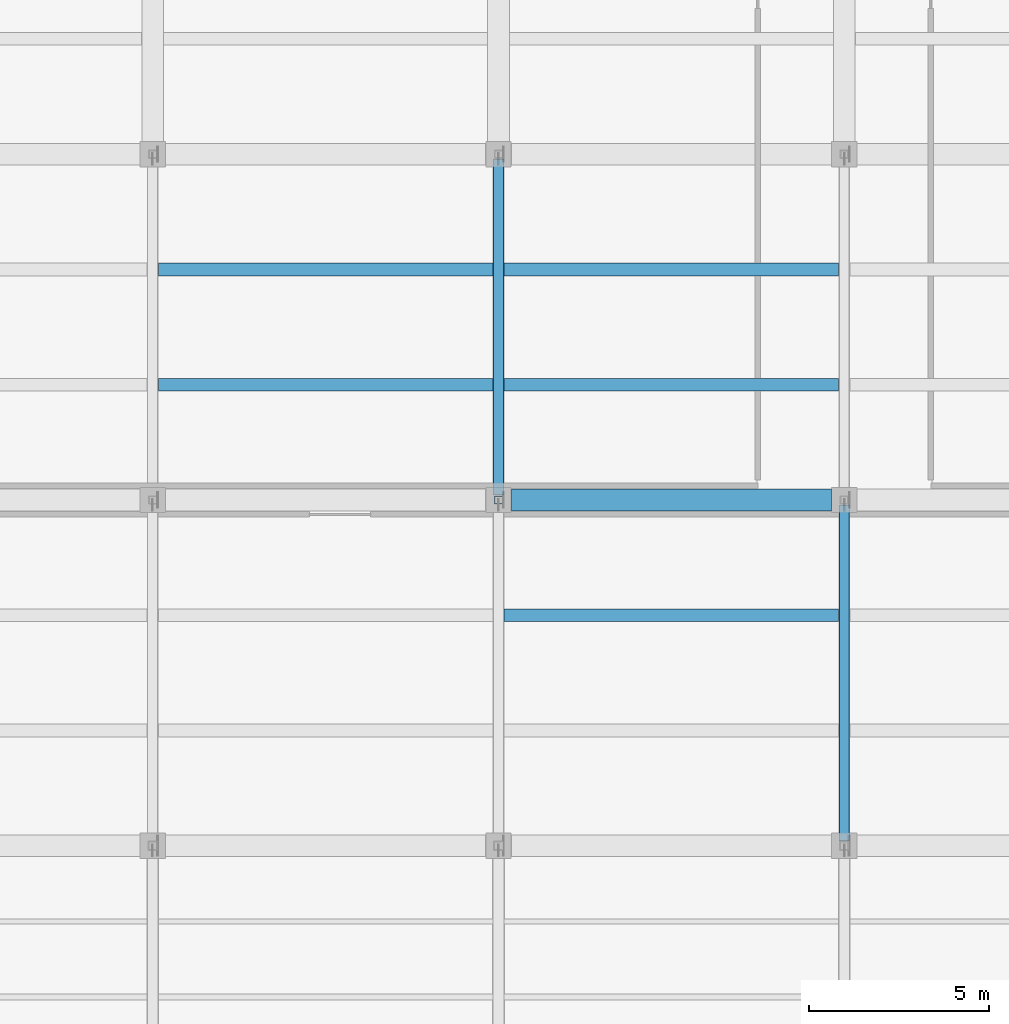
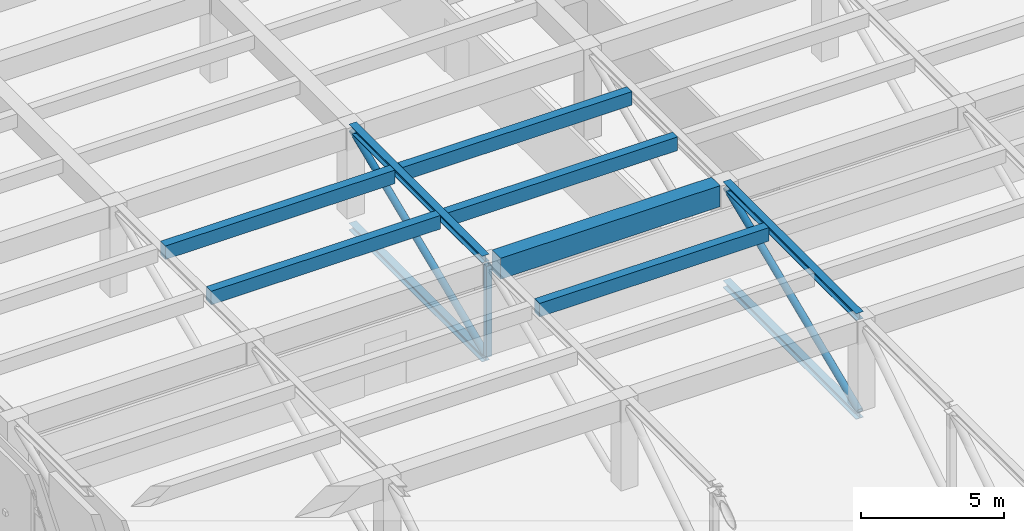
# One storey, part 11 of 62: 7 members, 6 beams.
"""IFC4 building model written with IfcOpenShell, lengths in metres."""

import ifcopenshell
import ifcopenshell.guid

model = None  # the IFC model being written
_history = None  # IfcOwnerHistory: only IFC2X3 demands one
_inside = {}  # id of a spatial element -> (the spatial element, [elements in it])
_under = {}  # id of a project, library or spatial element -> (it, [spatial elements below it])
_declared = {}  # id of a project -> (the project, [libraries it declares])
_typed = {}  # id of a type object -> (the type object, [elements of that type])
_made_of = {}  # id of a material, layer set ... -> (it, [elements and type objects made of it])


def new_model(schema):
    """Start an empty IFC model of exactly this schema.

    Asked for "IFC4X3", IfcOpenShell would pick the latest addendum, in which some entities
    have other attributes; the version numbers below select the first issue.
    IFC2X3 requires an IfcOwnerHistory on every rooted entity: one is made here for all.
    """
    global model, _history
    if schema == "IFC4X3":
        model = ifcopenshell.file(schema_version=(4, 3, 0, 0))
    else:
        model = ifcopenshell.file(schema=schema)
    _inside.clear()
    _under.clear()
    _declared.clear()
    _typed.clear()
    _made_of.clear()
    _history = None
    if model.schema == "IFC2X3":
        org = make("IfcOrganization", Name="unknown")
        user = make(
            "IfcPersonAndOrganization",
            ThePerson=make("IfcPerson", FamilyName="unknown"),
            TheOrganization=org,
        )
        app = make(
            "IfcApplication",
            ApplicationDeveloper=org,
            Version="unknown",
            ApplicationFullName="unknown",
            ApplicationIdentifier="unknown",
        )
        _history = make(
            "IfcOwnerHistory",
            OwningUser=user,
            OwningApplication=app,
            ChangeAction="ADDED",
            CreationDate=0,
        )
    return model


def make(cls, **values):
    """One entity of the class cls with the attributes given. An attribute that is None is left unset."""
    return model.create_entity(
        cls, **{name: value for name, value in values.items() if value is not None}
    )


def rooted(cls, **values):
    """An entity with a GlobalId (a new one), such as an element, a storey or a relation."""
    return make(cls, GlobalId=ifcopenshell.guid.new(), OwnerHistory=_history, **values)


def si_unit(unit_type, name, prefix=None):
    """IfcSIUnit, for example si_unit("LENGTHUNIT", "METRE", prefix="MILLI")."""
    return make("IfcSIUnit", UnitType=unit_type, Prefix=prefix, Name=name)


def assignment(units):
    """IfcUnitAssignment: the units of a project."""
    return None if units is None else make("IfcUnitAssignment", Units=units)


def point(xyz):
    """IfcCartesianPoint."""
    return None if xyz is None else make("IfcCartesianPoint", Coordinates=xyz)


def direction(xyz):
    """IfcDirection."""
    return None if xyz is None else make("IfcDirection", DirectionRatios=xyz)


def frame(location, z_axis=None, x_axis=None):
    """IfcAxis2Placement3D, a coordinate frame: its origin and axes. An axis left out is left unset."""
    return make(
        "IfcAxis2Placement3D",
        Location=point(location),
        Axis=direction(z_axis),
        RefDirection=direction(x_axis),
    )


def frame_2d(location, x_axis=None):
    """IfcAxis2Placement2D, a coordinate frame in the plane: its origin and x axis."""
    return make(
        "IfcAxis2Placement2D", Location=point(location), RefDirection=direction(x_axis)
    )


def origin():
    """The frame at (0, 0, 0) with its axes left unset."""
    return frame((0.0, 0.0, 0.0))


def origin_2d():
    """The frame at (0, 0) in the plane with its x axis left unset."""
    return frame_2d((0.0, 0.0))


def place(relative_to, where):
    """IfcLocalPlacement: puts the frame where relative to a parent placement (None: the world)."""
    return make(
        "IfcLocalPlacement", PlacementRelTo=relative_to, RelativePlacement=where
    )


def context(
    kind, dimensions, precision=None, world=None, true_north=None, identifier=None
):
    """IfcGeometricRepresentationContext, for example the 3D "Model" context."""
    return make(
        "IfcGeometricRepresentationContext",
        ContextIdentifier=identifier,
        ContextType=kind,
        CoordinateSpaceDimension=dimensions,
        Precision=precision,
        WorldCoordinateSystem=world,
        TrueNorth=true_north,
    )


def subcontext(parent, identifier, kind, view, scale=None):
    """IfcGeometricRepresentationSubContext, for example "Body" below "Model"."""
    return make(
        "IfcGeometricRepresentationSubContext",
        ContextIdentifier=identifier,
        ContextType=kind,
        ParentContext=parent,
        TargetScale=scale,
        TargetView=view,
    )


def project(units=None, contexts=None):
    """IfcProject with its units and contexts."""
    return rooted(
        "IfcProject",
        Name="project",
        RepresentationContexts=contexts,
        UnitsInContext=assignment(units),
    )


def spatial(cls, under=None, at=None, **own):
    """A site, building, storey or space (cls), placed at a placement, below another one or the project."""
    s = rooted(cls, ObjectPlacement=at, **own)
    if under is not None:
        _under.setdefault(under.id(), (under, []))[1].append(s)
    return s


def profile(cls, at=None, kind="AREA", **sizes):
    """A parametric profile (cls). Its sizes go by their IFC names, for example OverallWidth=200.0."""
    return make(cls, ProfileType=kind, Position=at, **sizes)


def rectangle(**sizes):
    """IfcRectangleProfileDef."""
    return profile("IfcRectangleProfileDef", **sizes)


def hollow_rectangle(**sizes):
    """IfcRectangleHollowProfileDef."""
    return profile("IfcRectangleHollowProfileDef", **sizes)


def hollow_circle(**sizes):
    """IfcCircleHollowProfileDef."""
    return profile("IfcCircleHollowProfileDef", **sizes)


def i_section(**sizes):
    """IfcIShapeProfileDef."""
    return profile("IfcIShapeProfileDef", **sizes)


def extrude(swept, where, along, depth):
    """IfcExtrudedAreaSolid: the profile swept, set in the frame where, extruded along a direction by depth."""
    return make(
        "IfcExtrudedAreaSolid",
        SweptArea=swept,
        Position=where,
        ExtrudedDirection=direction(along),
        Depth=depth,
    )


def shape(context_of_items, identifier, shape_type, items):
    """IfcShapeRepresentation: the items that make up one representation, for example the "Body"."""
    return make(
        "IfcShapeRepresentation",
        ContextOfItems=context_of_items,
        RepresentationIdentifier=identifier,
        RepresentationType=shape_type,
        Items=items,
    )


def material(Name=None, Category=None):
    """IfcMaterial."""
    return make("IfcMaterial", Name=Name, Category=Category)


def material_profile(
    of_material, cross_section, Name=None, Category=None, Priority=None
):
    """IfcMaterialProfile: a cross section and its material."""
    return make(
        "IfcMaterialProfile",
        Name=Name,
        Material=of_material,
        Profile=cross_section,
        Priority=Priority,
        Category=Category,
    )


def profile_set(profiles, Name=None, composite=None):
    """IfcMaterialProfileSet."""
    return make(
        "IfcMaterialProfileSet",
        Name=Name,
        MaterialProfiles=profiles,
        CompositeProfile=composite,
    )


def made_of(thing, what):
    """Note that an element or type object is made of a material, layer set ...; save() writes the relation."""
    if what is not None:
        _made_of.setdefault(what.id(), (what, []))[1].append(thing)
    return thing


def type_object(cls, material=None, **own):
    """A type object (cls), such as IfcWallType, which elements share."""
    return made_of(rooted(cls, **own), material)


def element(
    cls,
    number,
    at=None,
    inside=None,
    cuts=None,
    type_object=None,
    material=None,
    context=None,
    identifier="Body",
    shape_type=None,
    held_by="IfcProductDefinitionShape",
    body=None,
    shapes=None,
    **own,
):
    """One element of the class cls, such as IfcWall. Its Tag is "e" and its number.

    at: its placement. inside: the storey or other place that contains it. cuts: it is an
    opening in that element (IfcRelVoidsElement). A single representation is given by context,
    identifier, shape_type and body (its items); several are given by shapes. held_by: the class
    of the entity that holds the representations. save() writes the other relations.
    """
    e = rooted(cls, Tag="e%d" % number, ObjectPlacement=at, **own)
    if body is not None:
        shapes = [shape(context, identifier, shape_type, body)]
    if shapes is not None:
        e.Representation = make(held_by, Representations=shapes)
    if inside is not None:
        _inside.setdefault(inside.id(), (inside, []))[1].append(e)
    if cuts is not None:
        rooted(
            "IfcRelVoidsElement", RelatingBuildingElement=cuts, RelatedOpeningElement=e
        )
    if type_object is not None:
        _typed.setdefault(type_object.id(), (type_object, []))[1].append(e)
    return made_of(e, material)


def aggregate(whole, parts):
    """IfcRelAggregates: a whole, such as a stair, and the parts it consists of."""
    return rooted("IfcRelAggregates", RelatingObject=whole, RelatedObjects=parts)


def save(model, path):
    """Write the relations noted so far, then the file.

    IfcRelAggregates (storeys below a building ...), IfcRelContainedInSpatialStructure (elements
    in a storey), IfcRelDefinesByType, IfcRelAssociatesMaterial and IfcRelDeclares: one each for
    every whole, place, type object, material and project.
    """
    for whole, parts in _under.values():
        aggregate(whole, parts)
    for where, things in _inside.values():
        rooted(
            "IfcRelContainedInSpatialStructure",
            RelatedElements=things,
            RelatingStructure=where,
        )
    for kind, things in _typed.values():
        rooted("IfcRelDefinesByType", RelatedObjects=things, RelatingType=kind)
    for what, things in _made_of.values():
        rooted("IfcRelAssociatesMaterial", RelatedObjects=things, RelatingMaterial=what)
    for by, libraries in _declared.values():
        rooted("IfcRelDeclares", RelatingContext=by, RelatedDefinitions=libraries)
    model.write(path)


model = new_model("IFC4")

# Units and contexts
model_context = context("Model", 3, precision=1e-05, world=origin(), true_north=direction((0.0, 1.0)))
body_context = subcontext(model_context, "Body", "Model", "MODEL_VIEW")
ifc_project = project(units=[si_unit("LENGTHUNIT", "METRE"), si_unit("AREAUNIT", "SQUARE_METRE"), si_unit("VOLUMEUNIT", "CUBIC_METRE"), si_unit("PLANEANGLEUNIT", "RADIAN"), si_unit("MASSUNIT", "GRAM", prefix="KILO")], contexts=[model_context])

# Site, building, storey
site_placement = place(None, origin())
site = spatial("IfcSite", under=ifc_project, at=site_placement, CompositionType="ELEMENT")
building_placement = place(site_placement, origin())
building = spatial("IfcBuilding", under=site, at=building_placement, Name="Bempovik Park Faculty of Sciences", CompositionType="ELEMENT")
storey_placement = place(building_placement, frame((0.0, 0.0, 9.89990234375)))
storey = spatial("IfcBuildingStorey", under=building, at=storey_placement, Name="L02", CompositionType="ELEMENT", Elevation=9.89990234375)

# Beams
ifc_material_1 = material(Name="Concrete C35/45", Category="concrete")
ifc_material_profile_1 = material_profile(ifc_material_1, rectangle(XDim=0.35009765625, YDim=0.580078125, at=origin_2d()), Name="RC 350x580")
ifc_profile_set_1 = profile_set([ifc_material_profile_1], Name="Concrete C35/45")
beam_type_1 = type_object("IfcBeamType", Name="B-107 RC 350x580", PredefinedType="JOIST", material=ifc_profile_set_1)
for number, where, z_axis, x_axis, name in (
    (1, (69.756103515625, 32.60009765625, 3.610107421875), (1.0, 0.0, 0.0), (0.0, 1.0, 0.0), "L02 Secondary Joist (69.6-79.2, y=32.60)"),
    (2, (69.756103515625, 35.800048828125, 3.610107421875), (1.0, 0.0, 0.0), (0.0, 1.0, 0.0), "L02 Secondary Joist (69.6-79.2, y=35.80)"),
):
    element("IfcBeam", number, at=place(storey_placement, frame(where, z_axis=z_axis, x_axis=x_axis)), inside=storey, type_object=beam_type_1, Name=name, PredefinedType="JOIST", context=body_context, shape_type="SweptSolid", body=[
        extrude(rectangle(XDim=0.35009765625, YDim=0.580078125, at=origin_2d()), origin(), (0.0, 0.0, 1.0), 9.287841796875),
    ])
for number, where, z_axis, x_axis, name in (
    (3, (79.35595703125, 26.199951171875, 3.610107421875), (1.0, 0.0, 0.0), (0.0, 1.0, 0.0), "L02 Secondary Joist (79.2-88.8, y=26.20)"),
    (4, (79.35595703125, 32.60009765625, 3.610107421875), (1.0, 0.0, 0.0), (0.0, 1.0, 0.0), "L02 Secondary Joist (79.2-88.8, y=32.60)"),
    (5, (79.35595703125, 35.800048828125, 3.610107421875), (1.0, 0.0, 0.0), (0.0, 1.0, 0.0), "L02 Secondary Joist (79.2-88.8, y=35.80)"),
):
    element("IfcBeam", number, at=place(storey_placement, frame(where, z_axis=z_axis, x_axis=x_axis)), inside=storey, type_object=beam_type_1, Name=name, PredefinedType="JOIST", context=body_context, shape_type="SweptSolid", body=[
        extrude(rectangle(XDim=0.35009765625, YDim=0.580078125, at=origin_2d()), origin(), (0.0, 0.0, 1.0), 9.2880859375),
    ])
ifc_material_2 = material(Name="Concrete C40/50", Category="concrete")
ifc_material_profile_2 = material_profile(ifc_material_2, rectangle(XDim=0.60009765625, YDim=0.89990234375, at=origin_2d()), Name="RC 600x900")
ifc_profile_set_2 = profile_set([ifc_material_profile_2], Name="Concrete C40/50")
beam_type_2 = type_object("IfcBeamType", Name="B-115 RC 600x900", PredefinedType="BEAM", material=ifc_profile_set_2)
beam_placement = place(storey_placement, frame((79.555908203125, 29.39990234375, 3.4501953125), z_axis=(1.0, 0.0, 0.0), x_axis=(0.0, 1.0, 0.0)))
element("IfcBeam", 6, at=beam_placement, inside=storey, type_object=beam_type_2, Name="L02 Beam X (79.2-88.8, y=29.4)", PredefinedType="BEAM", context=body_context, shape_type="SweptSolid", body=[
    extrude(rectangle(XDim=0.60009765625, YDim=0.89990234375, at=origin_2d()), origin(), (0.0, 0.0, 1.0), 8.88818359375),
])

# Members
ifc_material_3 = material(Name="Steel S355", Category="steel")
ifc_material_profile_3 = material_profile(ifc_material_3, hollow_rectangle(XDim=0.219970703125, YDim=0.219970703125, WallThickness=0.010009765625, at=origin_2d()), Name="SHS 220x220x10")
ifc_profile_set_3 = profile_set([ifc_material_profile_3], Name="Steel S355")
member_type_1 = type_object("IfcMemberType", Name="M-32 SHS 220x220x10", PredefinedType="POST", material=ifc_profile_set_3)
member_1_placement = place(storey_placement, frame((79.199951171875, 29.39990234375, -0.31396484375), z_axis=(0.0, 0.0, 1.0), x_axis=(1.0, 0.0, 0.0)))
element("IfcMember", 7, at=member_1_placement, inside=storey, type_object=member_type_1, Name="Cantilever Truss 3 L02 Post 4", PredefinedType="POST", context=body_context, shape_type="SweptSolid", body=[
    extrude(hollow_rectangle(XDim=0.219970703125, YDim=0.219970703125, WallThickness=0.010009765625, at=origin_2d()), origin(), (0.0, 0.0, 1.0), 3.907958984375),
])
ifc_material_profile_4 = material_profile(ifc_material_3, i_section(OverallWidth=0.300048828125, OverallDepth=0.300048828125, WebThickness=0.010986328125, FlangeThickness=0.01904296875, at=origin_2d()), Name="HEB 300")
ifc_profile_set_4 = profile_set([ifc_material_profile_4], Name="Steel S355")
member_type_2 = type_object("IfcMemberType", Name="M-55 HEB 300", PredefinedType="CHORD", material=ifc_profile_set_4)
for number, where, z_axis, x_axis, name in (
    (8, (79.199951171875, 29.531982421875, -0.47998046875), (0.0, 1.0, 0.0), (-1.0, 0.0, 0.0), "Cantilever Truss 3 Bottom Chord 4"),
    (9, (79.199951171875, 29.531982421875, 3.75), (0.0, 1.0, 0.0), (-1.0, 0.0, 0.0), "Cantilever Truss 3 Mid Tie 4"),
):
    element("IfcMember", number, at=place(storey_placement, frame(where, z_axis=z_axis, x_axis=x_axis)), inside=storey, type_object=member_type_2, Name=name, PredefinedType="CHORD", context=body_context, shape_type="SweptSolid", body=[
        extrude(i_section(OverallWidth=0.300048828125, OverallDepth=0.300048828125, WebThickness=0.010986328125, FlangeThickness=0.01904296875, at=origin_2d()), origin(), (0.0, 0.0, 1.0), 9.3359375),
    ])
for number, where, z_axis, x_axis, name in (
    (10, (88.800048828125, 19.931884765625, -0.47998046875), (0.0, 1.0, 0.0), (-1.0, 0.0, 0.0), "Cantilever Truss 4 Bottom Chord 3"),
    (11, (88.800048828125, 19.931884765625, 3.75), (0.0, 1.0, 0.0), (-1.0, 0.0, 0.0), "Cantilever Truss 4 Mid Tie 3"),
):
    element("IfcMember", number, at=place(storey_placement, frame(where, z_axis=z_axis, x_axis=x_axis)), inside=storey, type_object=member_type_2, Name=name, PredefinedType="CHORD", context=body_context, shape_type="SweptSolid", body=[
        extrude(i_section(OverallWidth=0.300048828125, OverallDepth=0.300048828125, WebThickness=0.010986328125, FlangeThickness=0.01904296875, at=origin_2d()), origin(), (0.0, 0.0, 1.0), 9.336181640625),
    ])
ifc_material_profile_5 = material_profile(ifc_material_3, hollow_circle(Radius=0.136474609375, WallThickness=0.012451171875, at=origin_2d()), Name="CHS 273x12.5")
ifc_profile_set_5 = profile_set([ifc_material_profile_5], Name="Steel S355")
member_type_3 = type_object("IfcMemberType", Name="M-78 CHS 273x12.5", PredefinedType="BRACE", material=ifc_profile_set_5)
member_2_placement = place(storey_placement, frame((79.199951171875, 29.534912109375, -0.31396484375), z_axis=(0.0, 0.922358398158, 0.386335327594), x_axis=(-1.0, 0.0, 0.0)))
element("IfcMember", 12, at=member_2_placement, inside=storey, type_object=member_type_3, Name="Cantilever Truss 3 L02 Diagonal 4", PredefinedType="BRACE", context=body_context, shape_type="SweptSolid", body=[
    extrude(hollow_circle(Radius=0.136474609375, WallThickness=0.012451171875, at=origin_2d()), origin(), (0.0, 0.0, 1.0), 10.115478515625),
])
member_3_placement = place(storey_placement, frame((88.800048828125, 19.93505859375, -0.31396484375), z_axis=(0.0, 0.922354795709, 0.386343928167), x_axis=(-1.0, 0.0, 0.0)))
element("IfcMember", 13, at=member_3_placement, inside=storey, type_object=member_type_3, Name="Cantilever Truss 4 L02 Diagonal 3", PredefinedType="BRACE", context=body_context, shape_type="SweptSolid", body=[
    extrude(hollow_circle(Radius=0.136474609375, WallThickness=0.012451171875, at=origin_2d()), origin(), (0.0, 0.0, 1.0), 10.115234375),
])

save(model, "model.ifc")
